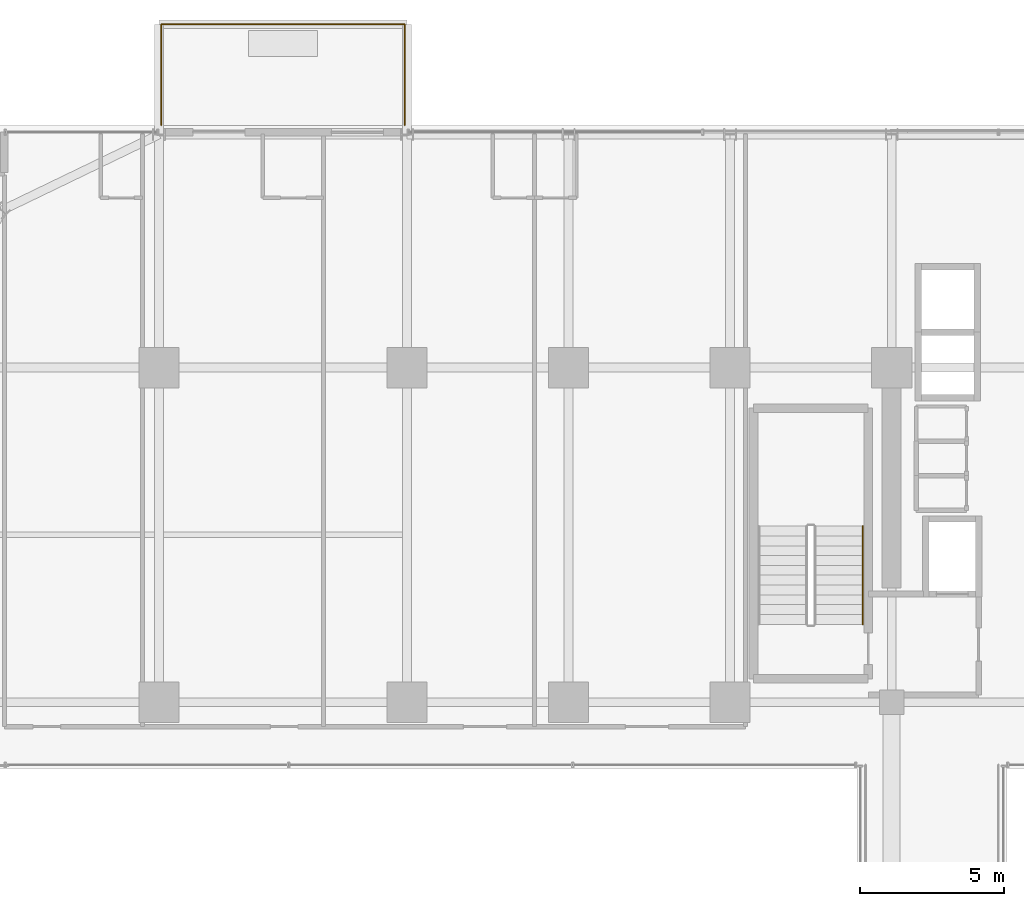
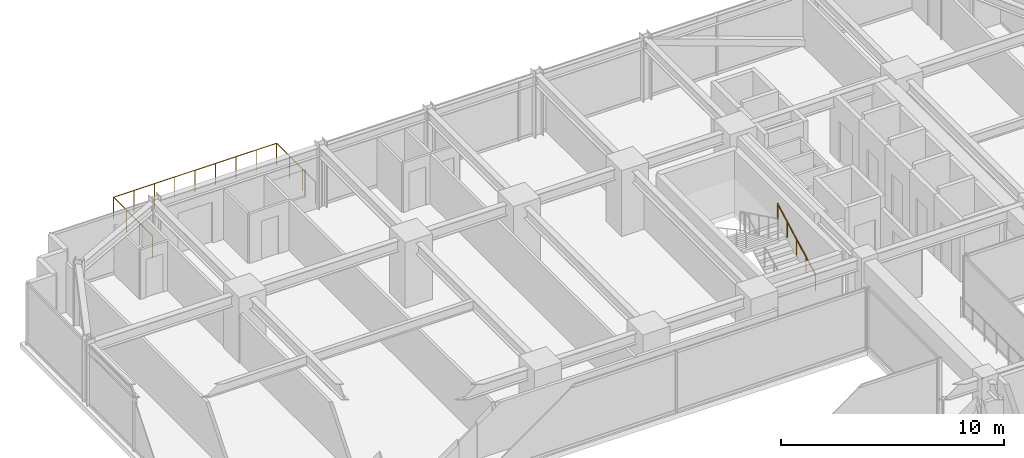
# One storey, part 40 of 41: 2 railings.
"""IFC4 building model written with IfcOpenShell, lengths in metres."""

from ifc_helpers import new_model, si_unit, direction, frame, origin, origin_2d, place, context, subcontext, project, spatial, circle, extrude, material, type_object, element, save


model = new_model("IFC4")

# Units and contexts
model_context = context("Model", 3, precision=1e-05, world=origin(), true_north=direction((0.0, 1.0)))
body_context = subcontext(model_context, "Body", "Model", "MODEL_VIEW")
ifc_project = project(units=[si_unit("LENGTHUNIT", "METRE"), si_unit("AREAUNIT", "SQUARE_METRE"), si_unit("VOLUMEUNIT", "CUBIC_METRE"), si_unit("PLANEANGLEUNIT", "RADIAN"), si_unit("MASSUNIT", "GRAM", prefix="KILO")], contexts=[model_context])

# Site, building, storey
site_placement = place(None, origin())
site = spatial("IfcSite", under=ifc_project, at=site_placement, CompositionType="ELEMENT")
building_placement = place(site_placement, origin())
building = spatial("IfcBuilding", under=site, at=building_placement, Name="Nahalor Promenade Grand Hotel", CompositionType="ELEMENT")
storey_placement = place(building_placement, frame((0.0, 0.0, 54.300048828125)))
storey = spatial("IfcBuildingStorey", under=building, at=storey_placement, Name="L12", CompositionType="ELEMENT", Elevation=54.300048828125)

# Railings
ifc_material_1 = material(Name="Anodised Bronze Aluminium EN AW-6063 T6", Category="aluminium")
railing_type_1 = type_object("IfcRailingType", Name="Bronze Balcony Guardrail 1200 mm", PredefinedType="GUARDRAIL", material=ifc_material_1)
railing_1_placement = place(storey_placement, frame((-16.919921875, 25.39990234375, 0.0)))
element("IfcRailing", 1, at=railing_1_placement, inside=storey, type_object=railing_type_1, Name="L12 Balcony Guardrail 1", PredefinedType="GUARDRAIL", context=body_context, shape_type="SweptSolid", body=[
    extrude(circle(Radius=0.024048, at=origin_2d()), frame((0.0, 0.0, 1.17578125), z_axis=(0.0, 1.0, 0.0), x_axis=(-1.0, 0.0, 0.0)), (0.0, 0.0, 1.0), 3.498046875),
    extrude(circle(Radius=0.024048, at=origin_2d()), frame((0.001953125, 3.5, 1.17578125), z_axis=(1.0, 0.0, 0.0), x_axis=(0.0, 1.0, 0.0)), (0.0, 0.0, 1.0), 8.43603515625),
    extrude(circle(Radius=0.024048, at=origin_2d()), frame((8.43994140625, 3.498046875, 1.17578125), z_axis=(0.0, -1.0, 0.0), x_axis=(1.0, 0.0, 0.0)), (0.0, 0.0, 1.0), 3.498046875),
    extrude(circle(Radius=0.020996, at=origin_2d()), origin(), (0.0, 0.0, 1.0), 1.14990234375),
    extrude(circle(Radius=0.020996, at=origin_2d()), frame((0.0, 1.166748046875, 0.0)), (0.0, 0.0, 1.0), 1.14990234375),
    extrude(circle(Radius=0.020996, at=origin_2d()), frame((0.0, 2.333251953125, 0.0)), (0.0, 0.0, 1.0), 1.14990234375),
    extrude(circle(Radius=0.020996, at=origin_2d()), frame((0.0, 3.5, 0.0)), (0.0, 0.0, 1.0), 1.14990234375),
    extrude(circle(Radius=0.020996, at=origin_2d()), frame((1.054931640625, 3.5, 0.0)), (0.0, 0.0, 1.0), 1.14990234375),
    extrude(circle(Radius=0.020996, at=origin_2d()), frame((2.10986328125, 3.5, 0.0)), (0.0, 0.0, 1.0), 1.14990234375),
    extrude(circle(Radius=0.020996, at=origin_2d()), frame((3.1650390625, 3.5, 0.0)), (0.0, 0.0, 1.0), 1.14990234375),
    extrude(circle(Radius=0.020996, at=origin_2d()), frame((4.219970703125, 3.5, 0.0)), (0.0, 0.0, 1.0), 1.14990234375),
    extrude(circle(Radius=0.020996, at=origin_2d()), frame((5.27490234375, 3.5, 0.0)), (0.0, 0.0, 1.0), 1.14990234375),
    extrude(circle(Radius=0.020996, at=origin_2d()), frame((6.330078125, 3.5, 0.0)), (0.0, 0.0, 1.0), 1.14990234375),
    extrude(circle(Radius=0.020996, at=origin_2d()), frame((7.385009765625, 3.5, 0.0)), (0.0, 0.0, 1.0), 1.14990234375),
    extrude(circle(Radius=0.020996, at=origin_2d()), frame((8.43994140625, 3.5, 0.0)), (0.0, 0.0, 1.0), 1.14990234375),
    extrude(circle(Radius=0.020996, at=origin_2d()), frame((8.43994140625, 2.333251953125, 0.0)), (0.0, 0.0, 1.0), 1.14990234375),
    extrude(circle(Radius=0.020996, at=origin_2d()), frame((8.43994140625, 1.166748046875, 0.0)), (0.0, 0.0, 1.0), 1.14990234375),
    extrude(circle(Radius=0.020996, at=origin_2d()), frame((8.43994140625, 0.0, 0.0)), (0.0, 0.0, 1.0), 1.14990234375),
])
ifc_material_2 = material(Name="Steel S355JR", Category="steel")
railing_type_2 = type_object("IfcRailingType", Name="Steel Stair Handrail 900 mm", PredefinedType="HANDRAIL", material=ifc_material_2)
railing_2_placement = place(storey_placement, frame((7.39990234375, 8.10009765625, 0.165771484375)))
element("IfcRailing", 2, at=railing_2_placement, inside=storey, type_object=railing_type_2, Name="L12 ST1 stair handrail 1", PredefinedType="HANDRAIL", context=body_context, shape_type="SweptSolid", body=[
    extrude(circle(Radius=0.024048, at=origin_2d()), frame((0.0, 0.0, 0.8759765625), z_axis=(0.0, 0.881067672671, 0.472990228413), x_axis=(-1.0, 0.0, 0.0)), (0.0, 0.0, 1.0), 3.85888671875),
    extrude(circle(Radius=0.020996, at=origin_2d()), origin(), (0.0, 0.0, 1.0), 0.849853515625),
    extrude(circle(Radius=0.020996, at=origin_2d()), frame((0.0, 0.85009765625, 0.456298828125)), (0.0, 0.0, 1.0), 0.849853515625),
    extrude(circle(Radius=0.020996, at=origin_2d()), frame((0.0, 1.699951171875, 0.91259765625)), (0.0, 0.0, 1.0), 0.849853515625),
    extrude(circle(Radius=0.020996, at=origin_2d()), frame((0.0, 2.5498046875, 1.368896484375)), (0.0, 0.0, 1.0), 0.849853515625),
    extrude(circle(Radius=0.020996, at=origin_2d()), frame((0.0, 3.39990234375, 1.8251953125)), (0.0, 0.0, 1.0), 0.849853515625),
])

save(model, "model.ifc")
